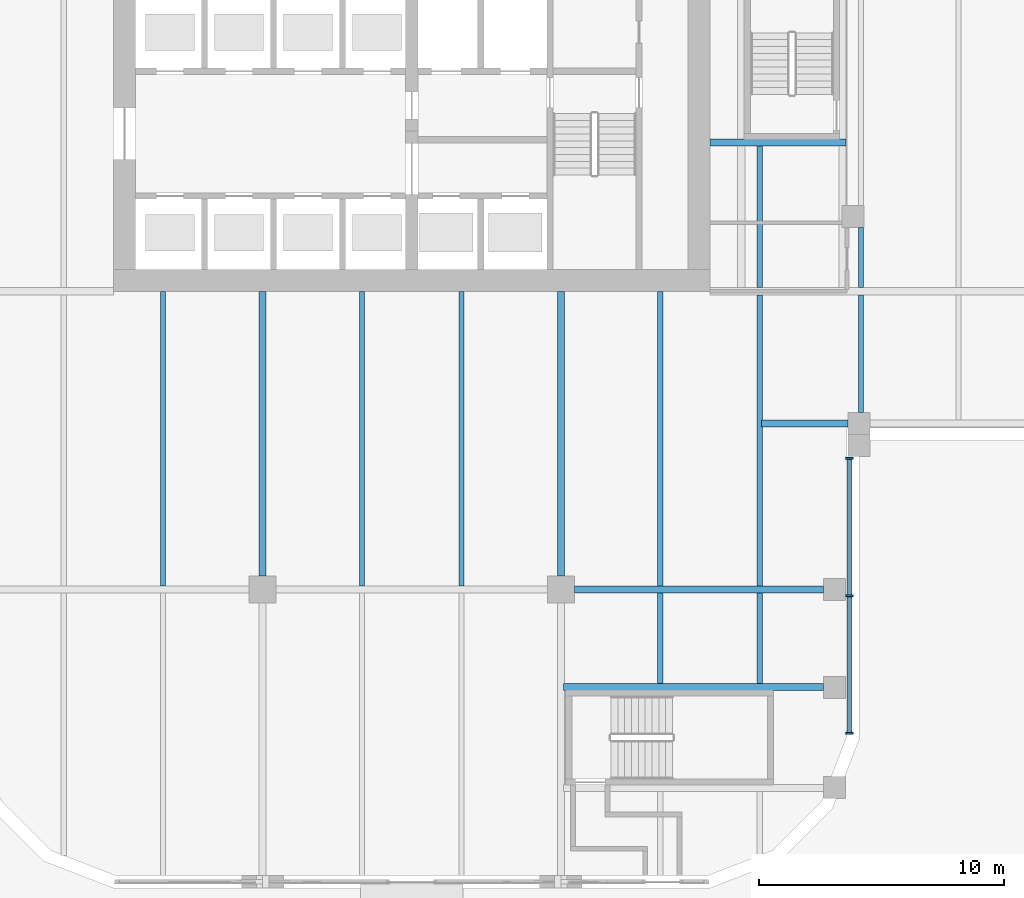
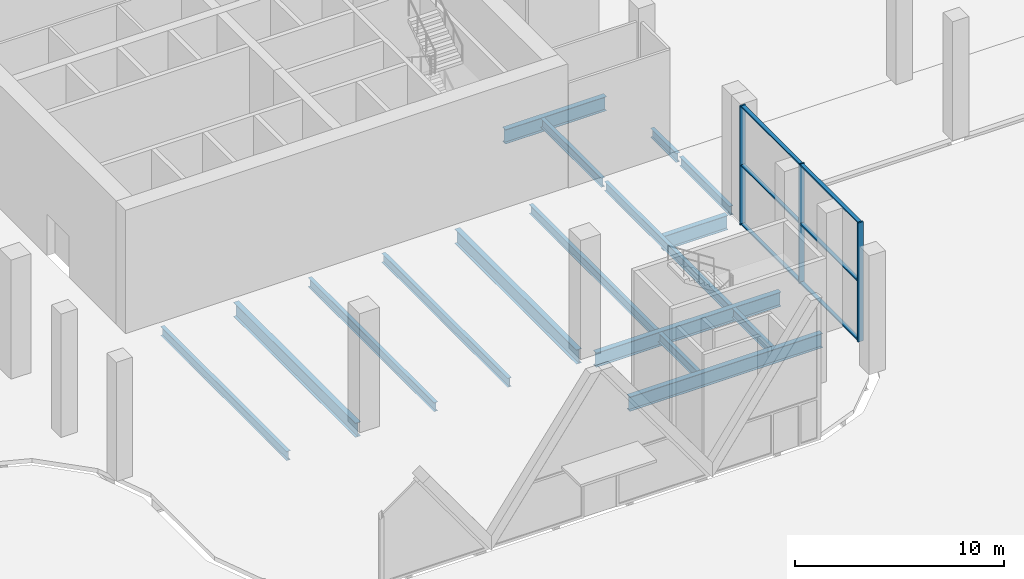
# One storey, part 2 of 36: 16 beams, 9 members, 1 element without a shape of its own.
"""IFC4 building model written with IfcOpenShell, lengths in metres."""

from ifc_helpers import new_model, si_unit, direction, frame, origin, origin_2d, place, context, subcontext, project, spatial, rectangle, i_section, extrude, material, material_profile, profile_set, type_object, element, aggregate, save


model = new_model("IFC4")

# Units and contexts
model_context = context("Model", 3, precision=1e-05, world=origin(), true_north=direction((0.0, 1.0)))
body_context = subcontext(model_context, "Body", "Model", "MODEL_VIEW")
ifc_project = project(units=[si_unit("LENGTHUNIT", "METRE"), si_unit("AREAUNIT", "SQUARE_METRE"), si_unit("VOLUMEUNIT", "CUBIC_METRE"), si_unit("PLANEANGLEUNIT", "RADIAN"), si_unit("MASSUNIT", "GRAM", prefix="KILO")], contexts=[model_context])

# Site, building, storey
site_placement = place(None, origin())
site = spatial("IfcSite", under=ifc_project, at=site_placement, CompositionType="ELEMENT")
building_placement = place(site_placement, origin())
building = spatial("IfcBuilding", under=site, at=building_placement, Name="Tessera Gate Towers", CompositionType="ELEMENT")
storey_placement = place(building_placement, origin())
storey = spatial("IfcBuildingStorey", under=building, at=storey_placement, Name="L00", CompositionType="ELEMENT", Elevation=0.0)

# Beams
ifc_material_1 = material(Name="Steel 350W", Category="steel")
ifc_material_profile_1 = material_profile(ifc_material_1, i_section(OverallWidth=0.2919921875, OverallDepth=0.8349609375, WebThickness=0.013916015625, FlangeThickness=0.018798828125, at=origin_2d()), Name="W840x176")
ifc_profile_set_1 = profile_set([ifc_material_profile_1], Name="Steel 350W")
beam_type_1 = type_object("IfcBeamType", Name="FLOOR GIRDER W840x176", PredefinedType="BEAM", material=ifc_profile_set_1)
beam_1_placement = place(storey_placement, frame((57.0, 19.0, -0.66748046875), z_axis=(1.0, 0.0, 0.0), x_axis=(0.0, 1.0, 0.0)))
element("IfcBeam", 1, at=beam_1_placement, inside=storey, type_object=beam_type_1, Name="PD-GD-L00-1", PredefinedType="BEAM", context=body_context, shape_type="SweptSolid", body=[
    extrude(i_section(OverallWidth=0.2919921875, OverallDepth=0.8349609375, WebThickness=0.013916015625, FlangeThickness=0.018798828125, at=origin_2d()), origin(), (0.0, 0.0, 1.0), 3.550048828125),
])
beam_2_placement = place(storey_placement, frame((49.35009765625, 12.199951171875, -0.66748046875), z_axis=(1.0, 0.0, 0.0), x_axis=(0.0, 1.0, 0.0)))
element("IfcBeam", 2, at=beam_2_placement, inside=storey, type_object=beam_type_1, Name="PD-GD-L00-13", PredefinedType="BEAM", context=body_context, shape_type="SweptSolid", body=[
    extrude(i_section(OverallWidth=0.2919921875, OverallDepth=0.8349609375, WebThickness=0.013916015625, FlangeThickness=0.018798828125, at=origin_2d()), origin(), (0.0, 0.0, 1.0), 10.199951171875),
])
for number, where, z_axis, x_axis, name in (
    (3, (36.60009765625, 12.75, -0.66748046875), (0.0, 1.0, 0.0), (-1.0, 0.0, 0.0), "PD-GD-L00-58"),
    (4, (48.800048828125, 12.75, -0.66748046875), (0.0, 1.0, 0.0), (-1.0, 0.0, 0.0), "PD-GD-L00-60"),
):
    element("IfcBeam", number, at=place(storey_placement, frame(where, z_axis=z_axis, x_axis=x_axis)), inside=storey, type_object=beam_type_1, Name=name, PredefinedType="BEAM", context=body_context, shape_type="SweptSolid", body=[
        extrude(i_section(OverallWidth=0.2919921875, OverallDepth=0.8349609375, WebThickness=0.013916015625, FlangeThickness=0.018798828125, at=origin_2d()), origin(), (0.0, 0.0, 1.0), 11.64990234375),
    ])
beam_3_placement = place(storey_placement, frame((48.904541015625, 8.219970703125, -0.66748046875), z_axis=(1.0, 0.0, 0.0), x_axis=(0.0, 1.0, 0.0)))
element("IfcBeam", 5, at=beam_3_placement, inside=storey, type_object=beam_type_1, Name="PD-GD-L00-78", PredefinedType="BEAM", context=body_context, shape_type="SweptSolid", body=[
    extrude(i_section(OverallWidth=0.2919921875, OverallDepth=0.8349609375, WebThickness=0.013916015625, FlangeThickness=0.018798828125, at=origin_2d()), origin(), (0.0, 0.0, 1.0), 10.6455078125),
])
beam_4_placement = place(storey_placement, frame((54.89892578125, 30.47998046875, -0.66748046875), z_axis=(1.0, 0.0, 0.0), x_axis=(0.0, 1.0, 0.0)))
element("IfcBeam", 6, at=beam_4_placement, inside=storey, type_object=beam_type_1, Name="PD-GD-L00-79", PredefinedType="BEAM", context=body_context, shape_type="SweptSolid", body=[
    extrude(i_section(OverallWidth=0.2919921875, OverallDepth=0.8349609375, WebThickness=0.013916015625, FlangeThickness=0.018798828125, at=origin_2d()), origin(), (0.0, 0.0, 1.0), 5.567138671875),
])
ifc_material_2 = material(Name="Steel 350W", Category="steel")
ifc_material_profile_2 = material_profile(ifc_material_2, i_section(OverallWidth=0.208984375, OverallDepth=0.528076171875, WebThickness=0.009521484375, FlangeThickness=0.01318359375, at=origin_2d()), Name="W530x82")
ifc_profile_set_2 = profile_set([ifc_material_profile_2], Name="Steel 350W")
beam_type_2 = type_object("IfcBeamType", Name="FLOOR SECONDARY W530x82", PredefinedType="BEAM", material=ifc_profile_set_2)
for number, where, z_axis, x_axis, name in (
    (7, (32.533203125, 12.345947265625, -0.513916015625), (0.0, 1.0, 0.0), (-1.0, 0.0, 0.0), "PD-BM-L00-107"),
    (8, (40.666748046875, 12.345947265625, -0.513916015625), (0.0, 1.0, 0.0), (-1.0, 0.0, 0.0), "PD-BM-L00-111"),
    (9, (44.7333984375, 12.345947265625, -0.513916015625), (0.0, 1.0, 0.0), (-1.0, 0.0, 0.0), "PD-BM-L00-114"),
):
    element("IfcBeam", number, at=place(storey_placement, frame(where, z_axis=z_axis, x_axis=x_axis)), inside=storey, type_object=beam_type_2, Name=name, PredefinedType="BEAM", context=body_context, shape_type="SweptSolid", body=[
        extrude(i_section(OverallWidth=0.208984375, OverallDepth=0.528076171875, WebThickness=0.009521484375, FlangeThickness=0.01318359375, at=origin_2d()), origin(), (0.0, 0.0, 1.0), 12.053955078125),
    ])
beam_5_placement = place(storey_placement, frame((52.86669921875, 8.365966796875, -0.513916015625), z_axis=(0.0, 1.0, 0.0), x_axis=(-1.0, 0.0, 0.0)))
element("IfcBeam", 10, at=beam_5_placement, inside=storey, type_object=beam_type_2, Name="PD-BM-L00-118", PredefinedType="BEAM", context=body_context, shape_type="SweptSolid", body=[
    extrude(i_section(OverallWidth=0.208984375, OverallDepth=0.528076171875, WebThickness=0.009521484375, FlangeThickness=0.01318359375, at=origin_2d()), origin(), (0.0, 0.0, 1.0), 3.68798828125),
])
beam_6_placement = place(storey_placement, frame((52.86669921875, 12.345947265625, -0.513916015625), z_axis=(0.0, 1.0, 0.0), x_axis=(-1.0, 0.0, 0.0)))
element("IfcBeam", 11, at=beam_6_placement, inside=storey, type_object=beam_type_2, Name="PD-BM-L00-119", PredefinedType="BEAM", context=body_context, shape_type="SweptSolid", body=[
    extrude(i_section(OverallWidth=0.208984375, OverallDepth=0.528076171875, WebThickness=0.009521484375, FlangeThickness=0.01318359375, at=origin_2d()), origin(), (0.0, 0.0, 1.0), 12.053955078125),
])
beam_7_placement = place(storey_placement, frame((56.933349609375, 8.365966796875, -0.513916015625), z_axis=(0.0, 1.0, 0.0), x_axis=(-1.0, 0.0, 0.0)))
element("IfcBeam", 12, at=beam_7_placement, inside=storey, type_object=beam_type_2, Name="PD-BM-L00-122", PredefinedType="BEAM", context=body_context, shape_type="SweptSolid", body=[
    extrude(i_section(OverallWidth=0.208984375, OverallDepth=0.528076171875, WebThickness=0.009521484375, FlangeThickness=0.01318359375, at=origin_2d()), origin(), (0.0, 0.0, 1.0), 3.68798828125),
])
beam_8_placement = place(storey_placement, frame((56.933349609375, 12.345947265625, -0.513916015625), z_axis=(0.0, 1.0, 0.0), x_axis=(-1.0, 0.0, 0.0)))
element("IfcBeam", 13, at=beam_8_placement, inside=storey, type_object=beam_type_2, Name="PD-BM-L00-123", PredefinedType="BEAM", context=body_context, shape_type="SweptSolid", body=[
    extrude(i_section(OverallWidth=0.208984375, OverallDepth=0.528076171875, WebThickness=0.009521484375, FlangeThickness=0.01318359375, at=origin_2d()), origin(), (0.0, 0.0, 1.0), 11.907958984375),
])
beam_9_placement = place(storey_placement, frame((56.933349609375, 24.5458984375, -0.513916015625), z_axis=(0.0, 1.0, 0.0), x_axis=(-1.0, 0.0, 0.0)))
element("IfcBeam", 14, at=beam_9_placement, inside=storey, type_object=beam_type_2, Name="PD-BM-L00-124", PredefinedType="BEAM", context=body_context, shape_type="SweptSolid", body=[
    extrude(i_section(OverallWidth=0.208984375, OverallDepth=0.528076171875, WebThickness=0.009521484375, FlangeThickness=0.01318359375, at=origin_2d()), origin(), (0.0, 0.0, 1.0), 5.7880859375),
])
beam_10_placement = place(storey_placement, frame((61.070556640625, 19.449951171875, -0.513916015625), z_axis=(0.0, 1.0, 0.0), x_axis=(-1.0, 0.0, 0.0)))
element("IfcBeam", 15, at=beam_10_placement, inside=storey, type_object=beam_type_2, Name="PD-BM-L00-127", PredefinedType="BEAM", context=body_context, shape_type="SweptSolid", body=[
    extrude(i_section(OverallWidth=0.208984375, OverallDepth=0.528076171875, WebThickness=0.009521484375, FlangeThickness=0.01318359375, at=origin_2d()), origin(), (0.0, 0.0, 1.0), 4.803955078125),
])
beam_11_placement = place(storey_placement, frame((61.070556640625, 24.5458984375, -0.513916015625), z_axis=(0.0, 1.0, 0.0), x_axis=(-1.0, 0.0, 0.0)))
element("IfcBeam", 16, at=beam_11_placement, inside=storey, type_object=beam_type_2, Name="PD-BM-L00-128", PredefinedType="BEAM", context=body_context, shape_type="SweptSolid", body=[
    extrude(i_section(OverallWidth=0.208984375, OverallDepth=0.528076171875, WebThickness=0.009521484375, FlangeThickness=0.01318359375, at=origin_2d()), origin(), (0.0, 0.0, 1.0), 2.4541015625),
])

# Curtain wall, members
ifc_material_3 = material(Name="Aluminium frame", Category="aluminium")
curtain_wall_type = type_object("IfcCurtainWallType", Name="CW-S6 ground floor glazing", PredefinedType="NOTDEFINED", material=ifc_material_3)
curtain_wall_placement = place(storey_placement, origin())
curtain_wall = element("IfcCurtainWall", 17, at=curtain_wall_placement, inside=storey, type_object=curtain_wall_type, Name="Curtain wall ground floor glazing 0147", PredefinedType="NOTDEFINED")
ifc_material_4 = material(Name="Aluminium frame", Category="aluminium")
ifc_material_profile_3 = material_profile(ifc_material_4, rectangle(XDim=0.080078125, YDim=0.300048828125, at=origin_2d()), Name="AL 80x300")
ifc_profile_set_3 = profile_set([ifc_material_profile_3], Name="Aluminium frame")
member_type_1 = type_object("IfcMemberType", Name="MU-S6 mullion 80x300", PredefinedType="MULLION", material=ifc_profile_set_3)
member_1_placement = place(storey_placement, frame((60.60009765625, 6.31640625, 0.0), z_axis=(0.0, 0.0, 1.0), x_axis=(0.0, 1.0, 0.0)))
member_1 = element("IfcMember", 18, at=member_1_placement, type_object=member_type_1, Name="PD-CW6-0147 mullion 1", PredefinedType="MULLION", context=body_context, shape_type="SweptSolid", body=[
    extrude(rectangle(XDim=0.080078125, YDim=0.300048828125, at=origin_2d()), origin(), (0.0, 0.0, 1.0), 6.949951171875),
])
member_2_placement = place(storey_placement, frame((60.60009765625, 11.943115234375, 0.0), z_axis=(0.0, 0.0, 1.0), x_axis=(0.0, 1.0, 0.0)))
member_2 = element("IfcMember", 19, at=member_2_placement, type_object=member_type_1, Name="PD-CW6-0147 mullion 2", PredefinedType="MULLION", context=body_context, shape_type="SweptSolid", body=[
    extrude(rectangle(XDim=0.080078125, YDim=0.300048828125, at=origin_2d()), origin(), (0.0, 0.0, 1.0), 6.949951171875),
])
member_3_placement = place(storey_placement, frame((60.60009765625, 17.570068359375, 0.0), z_axis=(0.0, 0.0, 1.0), x_axis=(0.0, 1.0, 0.0)))
member_3 = element("IfcMember", 20, at=member_3_placement, type_object=member_type_1, Name="PD-CW6-0147 mullion 3", PredefinedType="MULLION", context=body_context, shape_type="SweptSolid", body=[
    extrude(rectangle(XDim=0.080078125, YDim=0.300048828125, at=origin_2d()), origin(), (0.0, 0.0, 1.0), 6.949951171875),
])
ifc_material_5 = material(Name="Aluminium frame", Category="aluminium")
ifc_material_profile_4 = material_profile(ifc_material_5, rectangle(XDim=0.199951171875, YDim=0.080078125, at=origin_2d()), Name="AL 80x200")
ifc_profile_set_4 = profile_set([ifc_material_profile_4], Name="Aluminium frame")
member_type_2 = type_object("IfcMemberType", Name="TR-S6 transom 80x200", PredefinedType="USERDEFINED", material=ifc_profile_set_4)
member_4_placement = place(storey_placement, frame((60.60009765625, 6.3564453125, 0.0400390625), z_axis=(0.0, 1.0, 0.0), x_axis=(-1.0, 0.0, 0.0)))
member_4 = element("IfcMember", 21, at=member_4_placement, type_object=member_type_2, Name="PD-CW6-0147 transom 1.1", ObjectType="TRANSOM", PredefinedType="USERDEFINED", context=body_context, shape_type="SweptSolid", body=[
    extrude(rectangle(XDim=0.199951171875, YDim=0.080078125, at=origin_2d()), origin(), (0.0, 0.0, 1.0), 5.546875),
])
member_5_placement = place(storey_placement, frame((60.60009765625, 6.3564453125, 3.47509765625), z_axis=(0.0, 1.0, 0.0), x_axis=(-1.0, 0.0, 0.0)))
member_5 = element("IfcMember", 22, at=member_5_placement, type_object=member_type_2, Name="PD-CW6-0147 transom 1.2", ObjectType="TRANSOM", PredefinedType="USERDEFINED", context=body_context, shape_type="SweptSolid", body=[
    extrude(rectangle(XDim=0.199951171875, YDim=0.080078125, at=origin_2d()), origin(), (0.0, 0.0, 1.0), 5.546875),
])
member_6_placement = place(storey_placement, frame((60.60009765625, 6.3564453125, 6.909912109375), z_axis=(0.0, 1.0, 0.0), x_axis=(-1.0, 0.0, 0.0)))
member_6 = element("IfcMember", 23, at=member_6_placement, type_object=member_type_2, Name="PD-CW6-0147 transom 1.3", ObjectType="TRANSOM", PredefinedType="USERDEFINED", context=body_context, shape_type="SweptSolid", body=[
    extrude(rectangle(XDim=0.199951171875, YDim=0.080078125, at=origin_2d()), origin(), (0.0, 0.0, 1.0), 5.546875),
])
member_7_placement = place(storey_placement, frame((60.60009765625, 11.983154296875, 0.0400390625), z_axis=(0.0, 1.0, 0.0), x_axis=(-1.0, 0.0, 0.0)))
member_7 = element("IfcMember", 24, at=member_7_placement, type_object=member_type_2, Name="PD-CW6-0147 transom 2.1", ObjectType="TRANSOM", PredefinedType="USERDEFINED", context=body_context, shape_type="SweptSolid", body=[
    extrude(rectangle(XDim=0.199951171875, YDim=0.080078125, at=origin_2d()), origin(), (0.0, 0.0, 1.0), 5.546875),
])
member_8_placement = place(storey_placement, frame((60.60009765625, 11.983154296875, 3.47509765625), z_axis=(0.0, 1.0, 0.0), x_axis=(-1.0, 0.0, 0.0)))
member_8 = element("IfcMember", 25, at=member_8_placement, type_object=member_type_2, Name="PD-CW6-0147 transom 2.2", ObjectType="TRANSOM", PredefinedType="USERDEFINED", context=body_context, shape_type="SweptSolid", body=[
    extrude(rectangle(XDim=0.199951171875, YDim=0.080078125, at=origin_2d()), origin(), (0.0, 0.0, 1.0), 5.546875),
])
member_9_placement = place(storey_placement, frame((60.60009765625, 11.983154296875, 6.909912109375), z_axis=(0.0, 1.0, 0.0), x_axis=(-1.0, 0.0, 0.0)))
member_9 = element("IfcMember", 26, at=member_9_placement, type_object=member_type_2, Name="PD-CW6-0147 transom 2.3", ObjectType="TRANSOM", PredefinedType="USERDEFINED", context=body_context, shape_type="SweptSolid", body=[
    extrude(rectangle(XDim=0.199951171875, YDim=0.080078125, at=origin_2d()), origin(), (0.0, 0.0, 1.0), 5.546875),
])
aggregate(curtain_wall, [member_1, member_2, member_3, member_4, member_5, member_6, member_7, member_8, member_9])

save(model, "model.ifc")
